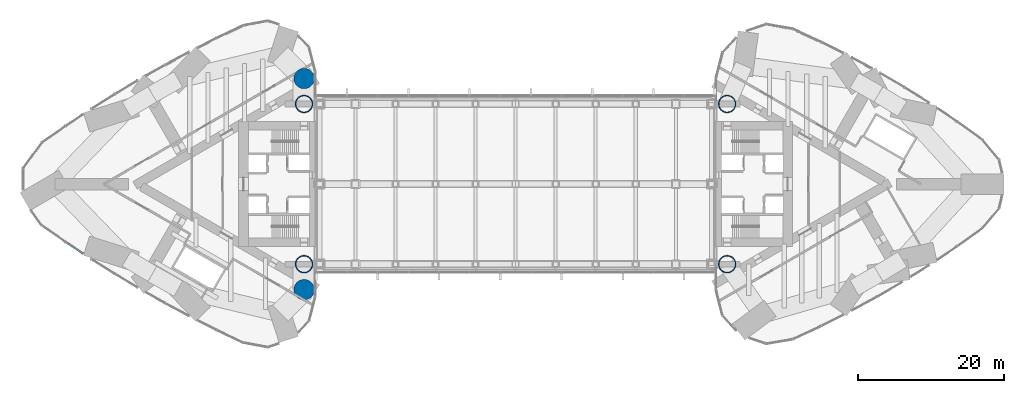
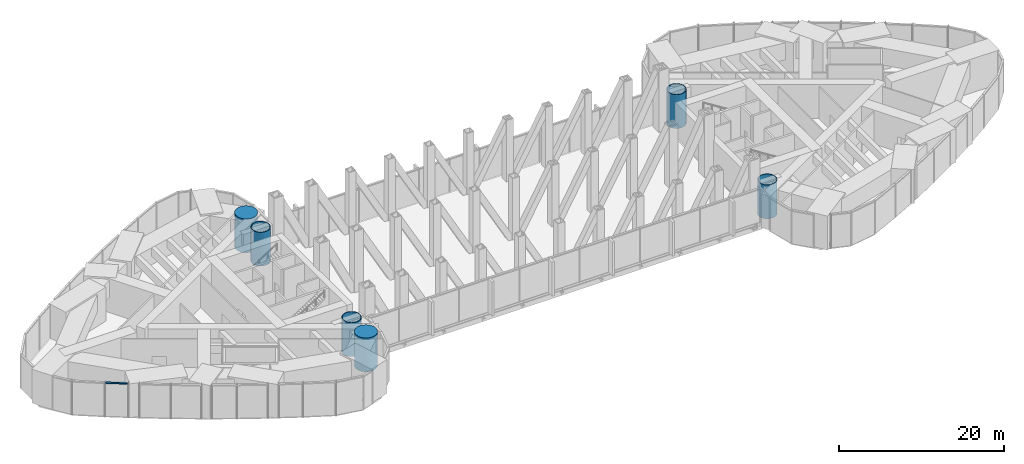
# One storey, part 1 of 21: 6 columns, 1 member, 1 element without a shape of its own.
"""IFC4 building model written with IfcOpenShell, lengths in metres."""

from ifc_helpers import new_model, si_unit, direction, frame, origin, origin_2d, place, context, subcontext, project, spatial, rectangle, circle, hollow_circle, extrude, material, material_profile, profile_set, type_object, element, aggregate, save


model = new_model("IFC4")

# Units and contexts
model_context = context("Model", 3, precision=1e-05, world=origin(), true_north=direction((0.0, 1.0)))
body_context = subcontext(model_context, "Body", "Model", "MODEL_VIEW")
ifc_project = project(units=[si_unit("LENGTHUNIT", "METRE"), si_unit("AREAUNIT", "SQUARE_METRE"), si_unit("VOLUMEUNIT", "CUBIC_METRE"), si_unit("PLANEANGLEUNIT", "RADIAN"), si_unit("MASSUNIT", "GRAM", prefix="KILO")], contexts=[model_context])

# Site, building, storey
site_placement = place(None, origin())
site = spatial("IfcSite", under=ifc_project, at=site_placement, CompositionType="ELEMENT")
building_placement = place(site_placement, origin())
building = spatial("IfcBuilding", under=site, at=building_placement, Name="Lancet Gate Hotel", CompositionType="ELEMENT")
storey_placement = place(building_placement, frame((0.0, 0.0, 205.300048828125)))
storey = spatial("IfcBuildingStorey", under=building, at=storey_placement, Name="L55", CompositionType="ELEMENT", Elevation=205.300048828125)

# Columns
ifc_material_1 = material(Name="Composite filled tube, grade 460 plate, grade 80/95 fill", Category="composite")
ifc_material_profile_1 = material_profile(ifc_material_1, hollow_circle(Radius=1.199951171875, WallThickness=0.090087890625, at=origin_2d()), Name="CHS 2400x90")
ifc_profile_set_1 = profile_set([ifc_material_profile_1], Name="Composite filled tube, grade 460 plate, grade 80/95 fill")
column_type_1 = type_object("IfcColumnType", Name="Perimeter column CFT CHS 2400x90", PredefinedType="COLUMN", material=ifc_profile_set_1)
for number, where, z_axis, x_axis, name in (
    (1, (-29.050048828125, -11.0, 0.0), (0.0, 0.0, 1.0), (1.0, 0.0, 0.0), "T1 column IN L55"),
    (2, (-29.050048828125, 11.0, 0.0), (0.0, 0.0, 1.0), (1.0, 0.0, 0.0), "T1 column IS L55"),
    (3, (29.050048828125, 11.0, 0.0), (0.0, 0.0, 1.0), (1.0, 0.0, 0.0), "T2 column IN L55"),
    (4, (29.050048828125, -11.0, 0.0), (0.0, 0.0, 1.0), (1.0, 0.0, 0.0), "T2 column IS L55"),
):
    element("IfcColumn", number, at=place(storey_placement, frame(where, z_axis=z_axis, x_axis=x_axis)), inside=storey, type_object=column_type_1, Name=name, PredefinedType="COLUMN", context=body_context, shape_type="SweptSolid", body=[
        extrude(hollow_circle(Radius=1.199951171875, WallThickness=0.090087890625, at=origin_2d()), origin(), (0.0, 0.0, 1.0), 5.0),
    ])
ifc_material_2 = material(Name="Concrete C60/75", Category="concrete")
ifc_material_profile_2 = material_profile(ifc_material_2, circle(Radius=1.39990234375, at=origin_2d()), Name="RC D2800")
ifc_profile_set_2 = profile_set([ifc_material_profile_2], Name="Concrete C60/75")
column_type_2 = type_object("IfcColumnType", Name="Perimeter column RC D2800", PredefinedType="COLUMN", material=ifc_profile_set_2)
for number, where, z_axis, x_axis, name in (
    (5, (-29.050048828125, 14.5, 0.0), (0.0, 0.0, 1.0), (1.0, 0.0, 0.0), "T1 column IT L55"),
    (6, (-29.050048828125, -14.5, 0.0), (0.0, 0.0, 1.0), (1.0, 0.0, 0.0), "T1 column JT L55"),
):
    element("IfcColumn", number, at=place(storey_placement, frame(where, z_axis=z_axis, x_axis=x_axis)), inside=storey, type_object=column_type_2, Name=name, PredefinedType="COLUMN", context=body_context, shape_type="SweptSolid", body=[
        extrude(circle(Radius=1.39990234375, at=origin_2d()), origin(), (0.0, 0.0, 1.0), 5.0),
    ])

# Curtain wall, member
ifc_material_3 = material(Name="Aluminium curtain wall", Category="aluminium")
curtain_wall_type = type_object("IfcCurtainWallType", Name="Refuge storey louvred curtain wall", PredefinedType="USERDEFINED", material=ifc_material_3)
curtain_wall_placement = place(storey_placement, origin())
curtain_wall = element("IfcCurtainWall", 7, at=curtain_wall_placement, inside=storey, type_object=curtain_wall_type, Name="T1 L55 curtain wall 6", ObjectType="LANTERN GLAZING", PredefinedType="USERDEFINED")
ifc_material_4 = material(Name="Aluminium transom", Category="aluminium")
ifc_material_profile_3 = material_profile(ifc_material_4, rectangle(XDim=0.25, YDim=0.14990234375, at=origin_2d()), Name="TRANSOM 250x150")
ifc_profile_set_3 = profile_set([ifc_material_profile_3], Name="Aluminium transom")
member_type = type_object("IfcMemberType", Name="Aluminium transom 250x150", PredefinedType="USERDEFINED", material=ifc_profile_set_3)
member_placement = place(storey_placement, frame((-61.735595703125, -7.998779296875, 4.925048828125), z_axis=(0.83286340622, -0.553478587283, 0.0), x_axis=(0.553478587283, 0.83286340622, 0.0)))
member = element("IfcMember", 8, at=member_placement, type_object=member_type, Name="T1 L55 curtain wall 6 transom 3", ObjectType="TRANSOM", PredefinedType="USERDEFINED", context=body_context, shape_type="SweptSolid", body=[
    extrude(rectangle(XDim=0.25, YDim=0.14990234375, at=origin_2d()), origin(), (0.0, 0.0, 1.0), 2.814697265625),
])
aggregate(curtain_wall, [member])

save(model, "model.ifc")
